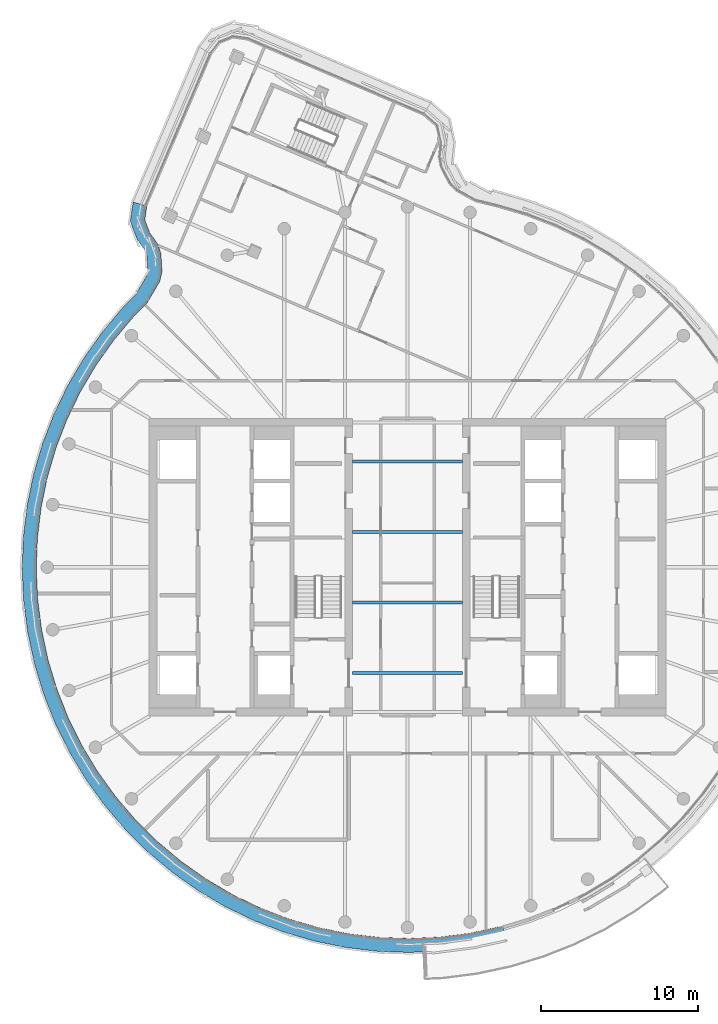
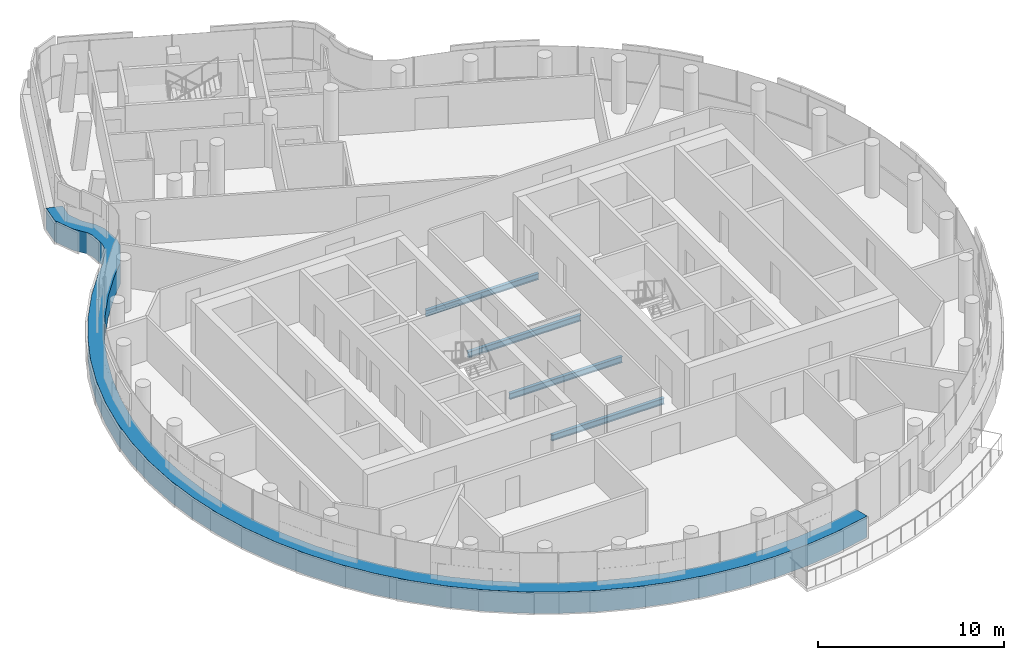
# One storey, part 4 of 20: 4 beams, 1 member, 1 element without a shape of its own.
"""IFC4 building model written with IfcOpenShell, lengths in metres."""

import ifcopenshell
import ifcopenshell.guid

model = None  # the IFC model being written
_history = None  # IfcOwnerHistory: only IFC2X3 demands one
_inside = {}  # id of a spatial element -> (the spatial element, [elements in it])
_under = {}  # id of a project, library or spatial element -> (it, [spatial elements below it])
_declared = {}  # id of a project -> (the project, [libraries it declares])
_typed = {}  # id of a type object -> (the type object, [elements of that type])
_made_of = {}  # id of a material, layer set ... -> (it, [elements and type objects made of it])


def new_model(schema):
    """Start an empty IFC model of exactly this schema.

    Asked for "IFC4X3", IfcOpenShell would pick the latest addendum, in which some entities
    have other attributes; the version numbers below select the first issue.
    IFC2X3 requires an IfcOwnerHistory on every rooted entity: one is made here for all.
    """
    global model, _history
    if schema == "IFC4X3":
        model = ifcopenshell.file(schema_version=(4, 3, 0, 0))
    else:
        model = ifcopenshell.file(schema=schema)
    _inside.clear()
    _under.clear()
    _declared.clear()
    _typed.clear()
    _made_of.clear()
    _history = None
    if model.schema == "IFC2X3":
        org = make("IfcOrganization", Name="unknown")
        user = make(
            "IfcPersonAndOrganization",
            ThePerson=make("IfcPerson", FamilyName="unknown"),
            TheOrganization=org,
        )
        app = make(
            "IfcApplication",
            ApplicationDeveloper=org,
            Version="unknown",
            ApplicationFullName="unknown",
            ApplicationIdentifier="unknown",
        )
        _history = make(
            "IfcOwnerHistory",
            OwningUser=user,
            OwningApplication=app,
            ChangeAction="ADDED",
            CreationDate=0,
        )
    return model


def make(cls, **values):
    """One entity of the class cls with the attributes given. An attribute that is None is left unset."""
    return model.create_entity(
        cls, **{name: value for name, value in values.items() if value is not None}
    )


def rooted(cls, **values):
    """An entity with a GlobalId (a new one), such as an element, a storey or a relation."""
    return make(cls, GlobalId=ifcopenshell.guid.new(), OwnerHistory=_history, **values)


def si_unit(unit_type, name, prefix=None):
    """IfcSIUnit, for example si_unit("LENGTHUNIT", "METRE", prefix="MILLI")."""
    return make("IfcSIUnit", UnitType=unit_type, Prefix=prefix, Name=name)


def assignment(units):
    """IfcUnitAssignment: the units of a project."""
    return None if units is None else make("IfcUnitAssignment", Units=units)


def point(xyz):
    """IfcCartesianPoint."""
    return None if xyz is None else make("IfcCartesianPoint", Coordinates=xyz)


def direction(xyz):
    """IfcDirection."""
    return None if xyz is None else make("IfcDirection", DirectionRatios=xyz)


def frame(location, z_axis=None, x_axis=None):
    """IfcAxis2Placement3D, a coordinate frame: its origin and axes. An axis left out is left unset."""
    return make(
        "IfcAxis2Placement3D",
        Location=point(location),
        Axis=direction(z_axis),
        RefDirection=direction(x_axis),
    )


def frame_2d(location, x_axis=None):
    """IfcAxis2Placement2D, a coordinate frame in the plane: its origin and x axis."""
    return make(
        "IfcAxis2Placement2D", Location=point(location), RefDirection=direction(x_axis)
    )


def origin():
    """The frame at (0, 0, 0) with its axes left unset."""
    return frame((0.0, 0.0, 0.0))


def origin_2d():
    """The frame at (0, 0) in the plane with its x axis left unset."""
    return frame_2d((0.0, 0.0))


def place(relative_to, where):
    """IfcLocalPlacement: puts the frame where relative to a parent placement (None: the world)."""
    return make(
        "IfcLocalPlacement", PlacementRelTo=relative_to, RelativePlacement=where
    )


def context(
    kind, dimensions, precision=None, world=None, true_north=None, identifier=None
):
    """IfcGeometricRepresentationContext, for example the 3D "Model" context."""
    return make(
        "IfcGeometricRepresentationContext",
        ContextIdentifier=identifier,
        ContextType=kind,
        CoordinateSpaceDimension=dimensions,
        Precision=precision,
        WorldCoordinateSystem=world,
        TrueNorth=true_north,
    )


def subcontext(parent, identifier, kind, view, scale=None):
    """IfcGeometricRepresentationSubContext, for example "Body" below "Model"."""
    return make(
        "IfcGeometricRepresentationSubContext",
        ContextIdentifier=identifier,
        ContextType=kind,
        ParentContext=parent,
        TargetScale=scale,
        TargetView=view,
    )


def project(units=None, contexts=None):
    """IfcProject with its units and contexts."""
    return rooted(
        "IfcProject",
        Name="project",
        RepresentationContexts=contexts,
        UnitsInContext=assignment(units),
    )


def spatial(cls, under=None, at=None, **own):
    """A site, building, storey or space (cls), placed at a placement, below another one or the project."""
    s = rooted(cls, ObjectPlacement=at, **own)
    if under is not None:
        _under.setdefault(under.id(), (under, []))[1].append(s)
    return s


def polyline(points):
    """IfcPolyline through the points."""
    return make("IfcPolyline", Points=[point(p) for p in points])


def profile(cls, at=None, kind="AREA", **sizes):
    """A parametric profile (cls). Its sizes go by their IFC names, for example OverallWidth=200.0."""
    return make(cls, ProfileType=kind, Position=at, **sizes)


def i_section(**sizes):
    """IfcIShapeProfileDef."""
    return profile("IfcIShapeProfileDef", **sizes)


def outline(outer, holes=None, kind="AREA"):
    """IfcArbitraryClosedProfileDef: a profile drawn as a closed curve; with holes, ...WithVoids."""
    if holes is None:
        return make("IfcArbitraryClosedProfileDef", ProfileType=kind, OuterCurve=outer)
    return make(
        "IfcArbitraryProfileDefWithVoids",
        ProfileType=kind,
        OuterCurve=outer,
        InnerCurves=holes,
    )


def extrude(swept, where, along, depth):
    """IfcExtrudedAreaSolid: the profile swept, set in the frame where, extruded along a direction by depth."""
    return make(
        "IfcExtrudedAreaSolid",
        SweptArea=swept,
        Position=where,
        ExtrudedDirection=direction(along),
        Depth=depth,
    )


def shape(context_of_items, identifier, shape_type, items):
    """IfcShapeRepresentation: the items that make up one representation, for example the "Body"."""
    return make(
        "IfcShapeRepresentation",
        ContextOfItems=context_of_items,
        RepresentationIdentifier=identifier,
        RepresentationType=shape_type,
        Items=items,
    )


def material(Name=None, Category=None):
    """IfcMaterial."""
    return make("IfcMaterial", Name=Name, Category=Category)


def layer(
    of_material, thickness, ventilated=None, Name=None, Category=None, Priority=None
):
    """IfcMaterialLayer: one layer of a wall or slab, of a material (None: an air gap)."""
    return make(
        "IfcMaterialLayer",
        Material=of_material,
        LayerThickness=thickness,
        IsVentilated=ventilated,
        Name=Name,
        Category=Category,
        Priority=Priority,
    )


def layer_set(layers, Name=None):
    """IfcMaterialLayerSet."""
    return make("IfcMaterialLayerSet", MaterialLayers=layers, LayerSetName=Name)


def material_profile(
    of_material, cross_section, Name=None, Category=None, Priority=None
):
    """IfcMaterialProfile: a cross section and its material."""
    return make(
        "IfcMaterialProfile",
        Name=Name,
        Material=of_material,
        Profile=cross_section,
        Priority=Priority,
        Category=Category,
    )


def profile_set(profiles, Name=None, composite=None):
    """IfcMaterialProfileSet."""
    return make(
        "IfcMaterialProfileSet",
        Name=Name,
        MaterialProfiles=profiles,
        CompositeProfile=composite,
    )


def made_of(thing, what):
    """Note that an element or type object is made of a material, layer set ...; save() writes the relation."""
    if what is not None:
        _made_of.setdefault(what.id(), (what, []))[1].append(thing)
    return thing


def type_object(cls, material=None, **own):
    """A type object (cls), such as IfcWallType, which elements share."""
    return made_of(rooted(cls, **own), material)


def element(
    cls,
    number,
    at=None,
    inside=None,
    cuts=None,
    type_object=None,
    material=None,
    context=None,
    identifier="Body",
    shape_type=None,
    held_by="IfcProductDefinitionShape",
    body=None,
    shapes=None,
    **own,
):
    """One element of the class cls, such as IfcWall. Its Tag is "e" and its number.

    at: its placement. inside: the storey or other place that contains it. cuts: it is an
    opening in that element (IfcRelVoidsElement). A single representation is given by context,
    identifier, shape_type and body (its items); several are given by shapes. held_by: the class
    of the entity that holds the representations. save() writes the other relations.
    """
    e = rooted(cls, Tag="e%d" % number, ObjectPlacement=at, **own)
    if body is not None:
        shapes = [shape(context, identifier, shape_type, body)]
    if shapes is not None:
        e.Representation = make(held_by, Representations=shapes)
    if inside is not None:
        _inside.setdefault(inside.id(), (inside, []))[1].append(e)
    if cuts is not None:
        rooted(
            "IfcRelVoidsElement", RelatingBuildingElement=cuts, RelatedOpeningElement=e
        )
    if type_object is not None:
        _typed.setdefault(type_object.id(), (type_object, []))[1].append(e)
    return made_of(e, material)


def aggregate(whole, parts):
    """IfcRelAggregates: a whole, such as a stair, and the parts it consists of."""
    return rooted("IfcRelAggregates", RelatingObject=whole, RelatedObjects=parts)


def save(model, path):
    """Write the relations noted so far, then the file.

    IfcRelAggregates (storeys below a building ...), IfcRelContainedInSpatialStructure (elements
    in a storey), IfcRelDefinesByType, IfcRelAssociatesMaterial and IfcRelDeclares: one each for
    every whole, place, type object, material and project.
    """
    for whole, parts in _under.values():
        aggregate(whole, parts)
    for where, things in _inside.values():
        rooted(
            "IfcRelContainedInSpatialStructure",
            RelatedElements=things,
            RelatingStructure=where,
        )
    for kind, things in _typed.values():
        rooted("IfcRelDefinesByType", RelatedObjects=things, RelatingType=kind)
    for what, things in _made_of.values():
        rooted("IfcRelAssociatesMaterial", RelatedObjects=things, RelatingMaterial=what)
    for by, libraries in _declared.values():
        rooted("IfcRelDeclares", RelatingContext=by, RelatedDefinitions=libraries)
    model.write(path)


model = new_model("IFC4")

# Units and contexts
model_context = context("Model", 3, precision=1e-05, world=origin(), true_north=direction((0.0, 1.0)))
body_context = subcontext(model_context, "Body", "Model", "MODEL_VIEW")
ifc_project = project(units=[si_unit("LENGTHUNIT", "METRE"), si_unit("AREAUNIT", "SQUARE_METRE"), si_unit("VOLUMEUNIT", "CUBIC_METRE"), si_unit("PLANEANGLEUNIT", "RADIAN"), si_unit("MASSUNIT", "GRAM", prefix="KILO")], contexts=[model_context])

# Site, building, storey
site_placement = place(None, origin())
site = spatial("IfcSite", under=ifc_project, at=site_placement, CompositionType="ELEMENT")
building_placement = place(site_placement, origin())
building = spatial("IfcBuilding", under=site, at=building_placement, Name="Tamarind Cross Interchange Tower", CompositionType="ELEMENT")
storey_placement = place(building_placement, frame((0.0, 0.0, 274.800048828125)))
storey = spatial("IfcBuildingStorey", under=building, at=storey_placement, Name="L70", CompositionType="ELEMENT", Elevation=274.800048828125)

# Beams
ifc_material_1 = material(Name="Steel Q355B", Category="steel")
ifc_material_profile = material_profile(ifc_material_1, i_section(OverallWidth=0.199951171875, OverallDepth=0.39990234375, WebThickness=0.008056640625, FlangeThickness=0.012939453125, FilletRadius=0.01611328125, at=origin_2d()), Name="HN 400x200x8x13")
ifc_profile_set = profile_set([ifc_material_profile], Name="Steel Q355B")
beam_type = type_object("IfcBeamType", Name="Composite beam HN 400x200x8x13 Q355B", PredefinedType="BEAM", material=ifc_profile_set)
for number, where, z_axis, x_axis, name in (
    (1, (-3.5, -2.25, -0.340087890625), (1.0, 0.0, 0.0), (0.0, 1.0, 0.0), "Beam G-2.25"),
    (2, (-3.5, -6.75, -0.340087890625), (1.0, 0.0, 0.0), (0.0, 1.0, 0.0), "Beam G-6.75"),
    (3, (-3.5, 2.25, -0.340087890625), (1.0, 0.0, 0.0), (0.0, 1.0, 0.0), "Beam G2.25"),
    (4, (-3.5, 6.75, -0.340087890625), (1.0, 0.0, 0.0), (0.0, 1.0, 0.0), "Beam G6.75"),
):
    element("IfcBeam", number, at=place(storey_placement, frame(where, z_axis=z_axis, x_axis=x_axis)), inside=storey, type_object=beam_type, Name=name, PredefinedType="BEAM", context=body_context, shape_type="SweptSolid", body=[
        extrude(i_section(OverallWidth=0.199951171875, OverallDepth=0.39990234375, WebThickness=0.008056640625, FlangeThickness=0.012939453125, FilletRadius=0.01611328125, at=origin_2d()), origin(), (0.0, 0.0, 1.0), 7.0),
    ])

# Curtain wall, member
ifc_material_2 = material(Name="Aluminium 6063-T6", Category="aluminium")
ifc_layer = layer(ifc_material_2, 0.139892578125)
ifc_layer_set = layer_set([ifc_layer], Name="Aluminium 6063-T6")
curtain_wall_type = type_object("IfcCurtainWallType", Name="Hotel curtain wall, 4.5 m bays", PredefinedType="NOTDEFINED", material=ifc_layer_set)
curtain_wall_placement = place(storey_placement, origin())
curtain_wall = element("IfcCurtainWall", 5, at=curtain_wall_placement, inside=storey, type_object=curtain_wall_type, Name="CWS-L70-01", PredefinedType="NOTDEFINED")
ifc_material_3 = material(Name="Aluminium and insulated spandrel panel", Category="aluminium")
member_type = type_object("IfcMemberType", Name="Floor-edge blade transom", PredefinedType="USERDEFINED", material=ifc_material_3)
member_placement = place(storey_placement, origin())
member = element("IfcMember", 6, at=member_placement, type_object=member_type, Name="CWT-L70-01-0", ObjectType="TRANSOM", PredefinedType="USERDEFINED", context=body_context, shape_type="SweptSolid", body=[
    extrude(outline(polyline([(-16.638671875, 23.064208984375), (-16.77001953125, 22.17529296875), (-16.447998046875, 21.336669921875), (-15.953125, 20.6484375), (-15.741943359375, 20.054931640625), (-15.6708984375, 18.870849609375), (-15.810546875, 18.25244140625), (-16.62109375, 16.8671875), (-17.502197265625, 15.973876953125), (-18.76171875, 14.4736328125), (-19.892822265625, 12.874755859375), (-20.88818359375, 11.188232421875), (-21.74072265625, 9.425048828125), (-22.444580078125, 7.597412109375), (-22.995361328125, 5.718017578125), (-23.38916015625, 3.799560546875), (-23.623046875, 1.855224609375), (-23.695556640625, -0.10205078125), (-23.606201171875, -2.058349609375), (-23.35546875, -4.000732421875), (-22.9453125, -5.915771484375), (-22.37841796875, -7.790283203125), (-21.65869140625, -9.61181640625), (-20.791015625, -11.367431640625), (-19.78125, -13.045654296875), (-18.636474609375, -14.634521484375), (-17.3642578125, -16.12353515625), (-15.973388671875, -17.50244140625), (-14.4736328125, -18.76171875), (-12.874755859375, -19.892822265625), (-11.188232421875, -20.88818359375), (-9.425048828125, -21.74072265625), (-7.597412109375, -22.444580078125), (-5.718017578125, -22.995361328125), (-3.799560546875, -23.38916015625), (-1.855224609375, -23.623046875), (0.10205078125, -23.695556640625), (2.058349609375, -23.606201171875), (4.000732421875, -23.35546875), (5.915771484375, -22.9453125), (6.07666015625, -22.896728515625), (6.3076171875, -23.76708984375), (6.140625, -23.817626953125), (4.15283203125, -24.243408203125), (2.13671875, -24.50341796875), (0.10595703125, -24.59619140625), (-1.925537109375, -24.52099609375), (-3.944091796875, -24.2783203125), (-5.935302734375, -23.86962890625), (-7.88623046875, -23.2978515625), (-9.783203125, -22.567138671875), (-11.613525390625, -21.68212890625), (-13.3642578125, -20.64892578125), (-15.023681640625, -19.474853515625), (-16.580810546875, -18.167724609375), (-18.0244140625, -16.736572265625), (-19.344970703125, -15.19091796875), (-20.533203125, -13.54150390625), (-21.581298828125, -11.799560546875), (-22.482177734375, -9.97705078125), (-23.229248046875, -8.08642578125), (-23.817626953125, -6.140625), (-24.243408203125, -4.15283203125), (-24.50341796875, -2.13671875), (-24.59619140625, -0.10595703125), (-24.52099609375, 1.925537109375), (-24.2783203125, 3.944091796875), (-23.86962890625, 5.935302734375), (-23.2978515625, 7.88623046875), (-22.567138671875, 9.783203125), (-21.68212890625, 11.613525390625), (-20.64892578125, 13.3642578125), (-19.474853515625, 15.023681640625), (-18.168212890625, 16.580078125), (-17.3408203125, 17.4189453125), (-16.65771484375, 18.58642578125), (-16.576904296875, 18.9443359375), (-16.6328125, 19.87353515625), (-16.75830078125, 20.2265625), (-17.24658203125, 20.905517578125), (-17.695068359375, 22.0732421875), (-17.511962890625, 23.310791015625), (-16.638671875, 23.064208984375)])), origin(), (0.0, 0.0, 1.0), 1.39990234375),
])
aggregate(curtain_wall, [member])

save(model, "model.ifc")
